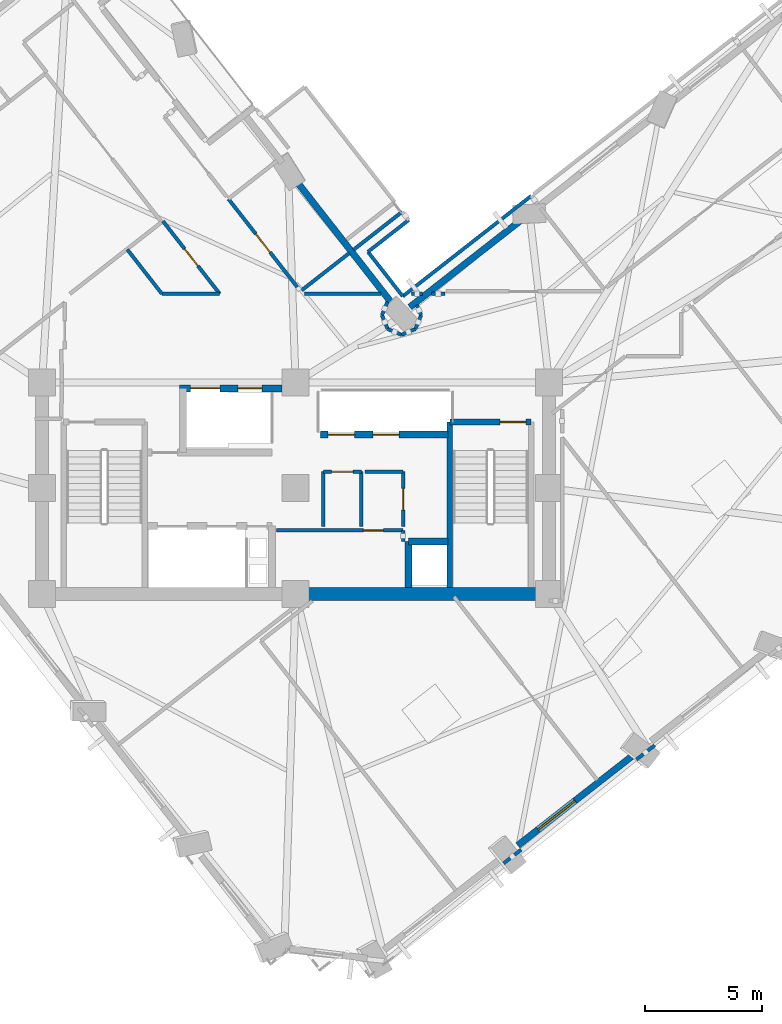
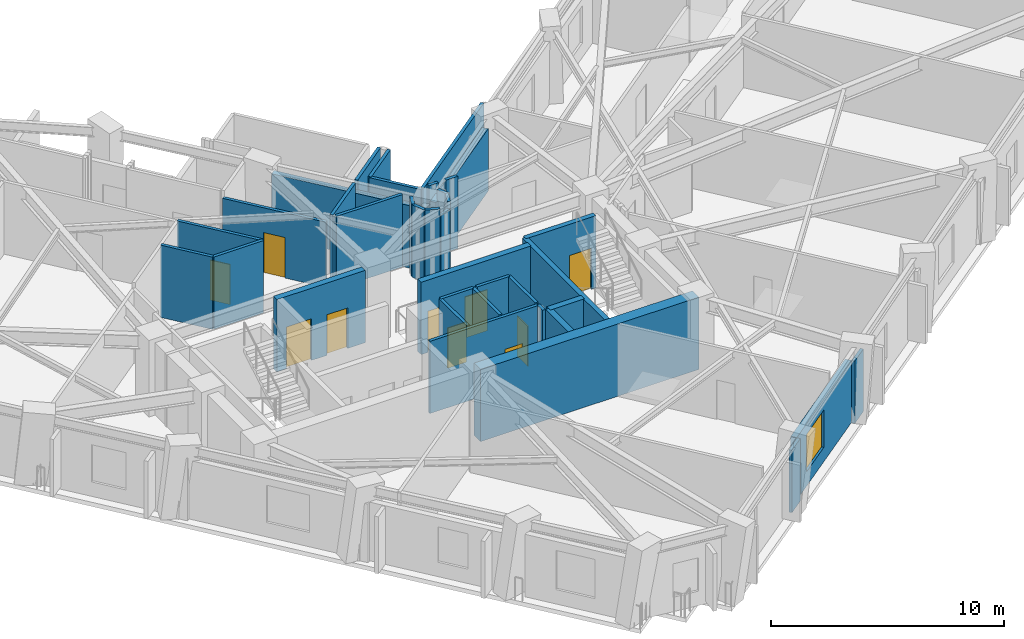
# One storey, part 6 of 14: 37 walls, 10 doors, 1 window, 11 openings.
"""IFC4 building model written with IfcOpenShell, lengths in metres."""

from ifc_helpers import new_model, si_unit, direction, frame, frame_2d, origin, place, context, subcontext, project, spatial, rectangle, extrude, material, layer, layer_set, type_object, element, fill, save


model = new_model("IFC4")

# Units and contexts
model_context = context("Model", 3, precision=1e-05, world=origin(), true_north=direction((0.0, 1.0)))
body_context = subcontext(model_context, "Body", "Model", "MODEL_VIEW")
ifc_project = project(units=[si_unit("LENGTHUNIT", "METRE"), si_unit("AREAUNIT", "SQUARE_METRE"), si_unit("VOLUMEUNIT", "CUBIC_METRE"), si_unit("PLANEANGLEUNIT", "RADIAN"), si_unit("MASSUNIT", "GRAM", prefix="KILO")], contexts=[model_context])

# Site, building, storey
site_placement = place(None, origin())
site = spatial("IfcSite", under=ifc_project, at=site_placement, CompositionType="ELEMENT")
building_placement = place(site_placement, origin())
building = spatial("IfcBuilding", under=site, at=building_placement, Name="Gaonmaruhae Medical Tower", CompositionType="ELEMENT")
storey_placement = place(building_placement, frame((0.0, 0.0, 185.800048828125)))
storey = spatial("IfcBuildingStorey", under=building, at=storey_placement, Name="L44", CompositionType="ELEMENT", Elevation=185.800048828125)

# Wall
ifc_material_1 = material(Name="Concrete C50/60", Category="concrete")
ifc_layer_1 = layer(ifc_material_1, 0.550048828125)
ifc_layer_set_1 = layer_set([ifc_layer_1], Name="Concrete C50/60")
wall_type_1 = type_object("IfcWallType", Name="CW-550 Mid-High Core Shear Wall", PredefinedType="SHEAR", material=ifc_layer_set_1)
wall_1_placement = place(storey_placement, frame((24.800048828125, 7.800048828125, 0.0), z_axis=(0.0, 0.0, 1.0), x_axis=(1.0, 0.0, 0.0)))
element("IfcWall", 1, at=wall_1_placement, inside=storey, type_object=wall_type_1, Name="L44 Core Shear Wall CSW-S2", PredefinedType="SHEAR", context=body_context, shape_type="SweptSolid", body=[
    extrude(rectangle(XDim=10.800048828125, YDim=0.550048828125, at=frame_2d((5.39990234375, 0.0))), origin(), (0.0, 0.0, 1.0), 3.780029296875),
])

# Wall, opening, window
ifc_material_2 = material(Name="Precast concrete C45/55", Category="concrete")
ifc_layer_2 = layer(ifc_material_2, 0.280029296875)
ifc_layer_set_2 = layer_set([ifc_layer_2], Name="Precast concrete C45/55")
wall_type_2 = type_object("IfcWallType", Name="EW-280 Upper Precast Masonry-Frame Facade Wall", PredefinedType="SOLIDWALL", material=ifc_layer_set_2)
wall_2_placement = place(storey_placement, frame((39.178466796875, 0.9228515625, 0.0), z_axis=(0.0, 0.0, 1.0), x_axis=(-0.788011311738, -0.61566076095, 0.0)))
wall_2 = element("IfcWall", 2, at=wall_2_placement, inside=storey, type_object=wall_type_2, Name="L44 Precast Masonry-Frame Wall S02-S03", PredefinedType="SOLIDWALL", context=body_context, shape_type="SweptSolid", body=[
    extrude(rectangle(XDim=6.234130859375, YDim=0.280029296875, at=frame_2d((3.1171875, 0.0))), origin(), (0.0, 0.0, 1.0), 3.264892578125),
])
opening_1_placement = place(wall_2_placement, frame((3.14501953125, 0.0, 0.75)))
opening_1 = element("IfcOpeningElement", 3, at=opening_1_placement, cuts=wall_2, Name="Opening WN-02", PredefinedType="OPENING", context=body_context, shape_type="SweptSolid", body=[
    extrude(rectangle(XDim=2.0, YDim=1.949951171875, at=frame_2d((1.0, 0.97509765625))), frame((0.0, 0.14990234375, 0.0), z_axis=(0.0, -1.0, 0.0), x_axis=(1.0, 0.0, 0.0)), (0.0, 0.0, 1.0), 0.300048828125),
])
ifc_material_3 = material(Name="Anodised aluminium and Low-E double glazing", Category="aluminium")
window_type = type_object("IfcWindowType", Name="WN-02 Double-Bed Ward Punched Window 2000x1950", PartitioningType="SINGLE_PANEL", PredefinedType="WINDOW", material=ifc_material_3)
window_placement = place(opening_1_placement, origin())
window = element("IfcWindow", 4, at=window_placement, inside=storey, type_object=window_type, Name="L44 Modular Facade Window S02", OverallHeight=1.949951171875, OverallWidth=2.0, PartitioningType="SINGLE_PANEL", PredefinedType="WINDOW", context=body_context, shape_type="SweptSolid", body=[
    extrude(rectangle(XDim=2.0, YDim=1.949951171875, at=frame_2d((1.0, 0.97509765625))), frame((0.0, 0.030029296875, 0.0), z_axis=(0.0, -1.0, 0.0), x_axis=(1.0, 0.0, 0.0)), (0.0, 0.0, 1.0), 0.06005859375),
])
fill(opening_1, window)

# Walls
wall_3_placement = place(storey_placement, frame((29.66748046875, 20.014404296875, 0.0), z_axis=(0.0, 0.0, 1.0), x_axis=(0.788002637329, 0.615671863547, 0.0)))
element("IfcWall", 5, at=wall_3_placement, inside=storey, type_object=wall_type_2, Name="L44 Precast Masonry-Frame Wall EN03-KN01", PredefinedType="SOLIDWALL", context=body_context, shape_type="SweptSolid", body=[
    extrude(rectangle(XDim=5.9599609375, YDim=0.280029296875, at=frame_2d((2.97998046875, 0.0))), origin(), (0.0, 0.0, 1.0), 3.264892578125),
])
wall_4_placement = place(storey_placement, frame((28.99755859375, 20.0517578125, 0.0), z_axis=(0.0, 0.0, 1.0), x_axis=(-0.615664366432, 0.788008494819, 0.0)))
element("IfcWall", 6, at=wall_4_placement, inside=storey, type_object=wall_type_2, Name="L44 Precast Masonry-Frame Wall KN01-NE01", PredefinedType="SOLIDWALL", context=body_context, shape_type="SweptSolid", body=[
    extrude(rectangle(XDim=6.760009765625, YDim=0.280029296875, at=frame_2d((3.3798828125, 0.0))), origin(), (0.0, 0.0, 1.0), 3.264892578125),
])

# Wall, opening, door
ifc_material_4 = material(Name="Gypsum board partition", Category="gypsum")
ifc_layer_3 = layer(ifc_material_4, 0.14990234375)
ifc_layer_set_3 = layer_set([ifc_layer_3], Name="Gypsum board partition")
wall_type_3 = type_object("IfcWallType", Name="PW-150 Rated Clinical Corridor Partition", PredefinedType="PARTITIONING", material=ifc_layer_set_3)
wall_5_placement = place(storey_placement, frame((23.97998046875, 10.5, 0.0), z_axis=(0.0, 0.0, 1.0), x_axis=(1.0, 0.0, 0.0)))
wall_5 = element("IfcWall", 7, at=wall_5_placement, inside=storey, type_object=wall_type_3, Name="L44 Interior Partition L44-RCL1-1", PredefinedType="PARTITIONING", context=body_context, shape_type="SweptSolid", body=[
    extrude(rectangle(XDim=5.39990234375, YDim=0.14990234375, at=frame_2d((2.699951171875, 0.0))), origin(), (0.0, 0.0, 1.0), 3.780029296875),
])
opening_2_placement = place(wall_5_placement, frame((3.702880859375, 0.0, 0.0)))
opening_2 = element("IfcOpeningElement", 8, at=opening_2_placement, cuts=wall_5, Name="Opening AD-01", PredefinedType="OPENING", context=body_context, shape_type="SweptSolid", body=[
    extrude(rectangle(XDim=0.860107421875, YDim=2.06005859375, at=frame_2d((0.43017578125, 1.030029296875))), frame((0.0, 0.0849609375, 0.0), z_axis=(0.0, -1.0, 0.0), x_axis=(1.0, 0.0, 0.0)), (0.0, 0.0, 1.0), 0.169921875),
])
ifc_material_5 = material(Name="Powder-coated steel access door", Category="steel")
door_type_1 = type_object("IfcDoorType", Name="AD-01 Riser & Closet Access Fire Door 860x2060", OperationType="NOTDEFINED", PredefinedType="DOOR", material=ifc_material_5)
door_1_placement = place(opening_2_placement, origin())
door_1 = element("IfcDoor", 9, at=door_1_placement, inside=storey, type_object=door_type_1, Name="L44 Biomedical Infusion Preparation Room Sliding Door", OperationType="SLIDING_TO_LEFT", OverallHeight=2.06005859375, OverallWidth=0.860107421875, PredefinedType="DOOR", context=body_context, shape_type="SweptSolid", body=[
    extrude(rectangle(XDim=0.860107421875, YDim=2.06005859375, at=frame_2d((0.43017578125, 1.030029296875))), frame((0.0, 0.02490234375, 0.0), z_axis=(0.0, -1.0, 0.0), x_axis=(1.0, 0.0, 0.0)), (0.0, 0.0, 1.0), 0.050048828125),
])
fill(opening_2, door_1)

# Walls
wall_6_placement = place(storey_placement, frame((29.3798828125, 10.5, 0.0), z_axis=(0.0, 0.0, 1.0), x_axis=(0.0, -1.0, 0.0)))
element("IfcWall", 10, at=wall_6_placement, inside=storey, type_object=wall_type_3, Name="L44 Interior Partition L44-RCL1-2", PredefinedType="PARTITIONING", context=body_context, shape_type="SweptSolid", body=[
    extrude(rectangle(XDim=0.47998046875, YDim=0.14990234375, at=frame_2d((0.239990234375, 0.0))), origin(), (0.0, 0.0, 1.0), 3.780029296875),
])
wall_7_placement = place(storey_placement, frame((25.97998046875, 10.659912109375, 0.0), z_axis=(0.0, 0.0, 1.0), x_axis=(0.0, 1.0, 0.0)))
element("IfcWall", 11, at=wall_7_placement, inside=storey, type_object=wall_type_3, Name="L44 Interior Partition L44-CS1-3", PredefinedType="PARTITIONING", context=body_context, shape_type="SweptSolid", body=[
    extrude(rectangle(XDim=2.340087890625, YDim=0.14990234375, at=frame_2d((1.169921875, 0.0))), origin(), (0.0, 0.0, 1.0), 3.780029296875),
])

# Wall, opening, door
wall_8_placement = place(storey_placement, frame((25.97998046875, 13.0, 0.0), z_axis=(0.0, 0.0, 1.0), x_axis=(1.0, 0.0, 0.0)))
wall_8 = element("IfcWall", 12, at=wall_8_placement, inside=storey, type_object=wall_type_3, Name="L44 Interior Partition L44-CS1-4", PredefinedType="PARTITIONING", context=body_context, shape_type="SweptSolid", body=[
    extrude(rectangle(XDim=1.6201171875, YDim=0.14990234375, at=frame_2d((0.81005859375, 0.0))), origin(), (0.0, 0.0, 1.0), 3.780029296875),
])
opening_3_placement = place(wall_8_placement, frame((0.35009765625, 0.0, 0.0)))
opening_3 = element("IfcOpeningElement", 13, at=opening_3_placement, cuts=wall_8, Name="Opening UD-01", PredefinedType="OPENING", context=body_context, shape_type="SweptSolid", body=[
    extrude(rectangle(XDim=0.919921875, YDim=2.10009765625, at=frame_2d((0.4599609375, 1.050048828125))), frame((0.0, 0.0849609375, 0.0), z_axis=(0.0, -1.0, 0.0), x_axis=(1.0, 0.0, 0.0)), (0.0, 0.0, 1.0), 0.169921875),
])
ifc_material_6 = material(Name="Powder-coated steel utility door", Category="steel")
door_type_2 = type_object("IfcDoorType", Name="UD-01 Toilet, Utility & Housekeeping Door 920x2100", OperationType="NOTDEFINED", PredefinedType="DOOR", material=ifc_material_6)
door_2_placement = place(opening_3_placement, origin())
door_2 = element("IfcDoor", 14, at=door_2_placement, inside=storey, type_object=door_type_2, Name="L44 Accessible Staff Toilet Door", OperationType="SINGLE_SWING_RIGHT", OverallHeight=2.10009765625, OverallWidth=0.919921875, PredefinedType="DOOR", context=body_context, shape_type="SweptSolid", body=[
    extrude(rectangle(XDim=0.919921875, YDim=2.10009765625, at=frame_2d((0.4599609375, 1.050048828125))), frame((0.0, 0.02490234375, 0.0), z_axis=(0.0, -1.0, 0.0), x_axis=(1.0, 0.0, 0.0)), (0.0, 0.0, 1.0), 0.050048828125),
])
fill(opening_3, door_2)

# Walls
wall_9_placement = place(storey_placement, frame((27.60009765625, 13.0, 0.0), z_axis=(0.0, 0.0, 1.0), x_axis=(0.0, -1.0, 0.0)))
element("IfcWall", 15, at=wall_9_placement, inside=storey, type_object=wall_type_3, Name="L44 Interior Partition L44-CS1-5", PredefinedType="PARTITIONING", context=body_context, shape_type="SweptSolid", body=[
    extrude(rectangle(XDim=2.340087890625, YDim=0.14990234375, at=frame_2d((1.169921875, 0.0))), origin(), (0.0, 0.0, 1.0), 3.780029296875),
])
wall_10_placement = place(storey_placement, frame((27.760009765625, 13.0, 0.0), z_axis=(0.0, 0.0, 1.0), x_axis=(1.0, 0.0, 0.0)))
element("IfcWall", 16, at=wall_10_placement, inside=storey, type_object=wall_type_3, Name="L44 Interior Partition L44-CS2-6", PredefinedType="PARTITIONING", context=body_context, shape_type="SweptSolid", body=[
    extrude(rectangle(XDim=1.619873046875, YDim=0.14990234375, at=frame_2d((0.81005859375, 0.0))), origin(), (0.0, 0.0, 1.0), 3.780029296875),
])

# Wall, opening, door
wall_11_placement = place(storey_placement, frame((29.3798828125, 13.0, 0.0), z_axis=(0.0, 0.0, 1.0), x_axis=(0.0, -1.0, 0.0)))
wall_11 = element("IfcWall", 17, at=wall_11_placement, inside=storey, type_object=wall_type_3, Name="L44 Interior Partition L44-CS2-7", PredefinedType="PARTITIONING", context=body_context, shape_type="SweptSolid", body=[
    extrude(rectangle(XDim=2.340087890625, YDim=0.14990234375, at=frame_2d((1.169921875, 0.0))), origin(), (0.0, 0.0, 1.0), 3.780029296875),
])
opening_4_placement = place(wall_11_placement, frame((0.7099609375, 0.0, 0.0)))
opening_4 = element("IfcOpeningElement", 18, at=opening_4_placement, cuts=wall_11, Name="Opening UD-01", PredefinedType="OPENING", context=body_context, shape_type="SweptSolid", body=[
    extrude(rectangle(XDim=0.919921875, YDim=2.10009765625, at=frame_2d((0.4599609375, 1.050048828125))), frame((0.0, 0.0849609375, 0.0), z_axis=(0.0, -1.0, 0.0), x_axis=(1.0, 0.0, 0.0)), (0.0, 0.0, 1.0), 0.169921875),
])
door_3_placement = place(opening_4_placement, origin())
door_3 = element("IfcDoor", 19, at=door_3_placement, inside=storey, type_object=door_type_2, Name="L44 Biomedical Telemetry Closet Door", OperationType="SINGLE_SWING_LEFT", OverallHeight=2.10009765625, OverallWidth=0.919921875, PredefinedType="DOOR", context=body_context, shape_type="SweptSolid", body=[
    extrude(rectangle(XDim=0.919921875, YDim=2.10009765625, at=frame_2d((0.4599609375, 1.050048828125))), frame((0.0, 0.02490234375, 0.0), z_axis=(0.0, -1.0, 0.0), x_axis=(1.0, 0.0, 0.0)), (0.0, 0.0, 1.0), 0.050048828125),
])
fill(opening_4, door_3)

# Walls
wall_12_placement = place(storey_placement, frame((34.407958984375, -3.096923828125, 0.0), z_axis=(0.0, 0.0, 1.0), x_axis=(-0.787899929326, -0.615803297627, 0.0)))
element("IfcWall", 20, at=wall_12_placement, inside=storey, type_object=wall_type_3, Name="L44 Interior Partition L44-SUP02-8", PredefinedType="PARTITIONING", context=body_context, shape_type="SweptSolid", body=[
    extrude(rectangle(XDim=0.951904296875, YDim=0.14990234375, at=frame_2d((0.47607421875, 0.0))), origin(), (0.0, 0.0, 1.0), 3.264892578125),
])
wall_13_placement = place(storey_placement, frame((40.091064453125, 1.343994140625, 0.0), z_axis=(0.0, 0.0, 1.0), x_axis=(-0.788168135947, -0.615459982028, 0.0)))
element("IfcWall", 21, at=wall_13_placement, inside=storey, type_object=wall_type_3, Name="L44 Interior Partition L44-SUP03-13", PredefinedType="PARTITIONING", context=body_context, shape_type="SweptSolid", body=[
    extrude(rectangle(XDim=0.978271484375, YDim=0.14990234375, at=frame_2d((0.4892578125, 0.0))), origin(), (0.0, 0.0, 1.0), 3.264892578125),
])
wall_14_placement = place(storey_placement, frame((27.886962890625, 22.366943359375, 0.0), z_axis=(0.0, 0.0, 1.0), x_axis=(0.615594676938, -0.788062937667, 0.0)))
element("IfcWall", 22, at=wall_14_placement, inside=storey, type_object=wall_type_3, Name="L44 Interior Partition L44-IE01-45", PredefinedType="PARTITIONING", context=body_context, shape_type="SweptSolid", body=[
    extrude(rectangle(XDim=2.3994140625, YDim=0.14990234375, at=frame_2d((1.19970703125, 0.0))), origin(), (0.0, 0.0, 1.0), 3.780029296875),
])
wall_15_placement = place(storey_placement, frame((29.364013671875, 20.47607421875, 0.0), z_axis=(0.0, 0.0, 1.0), x_axis=(0.788027038921, 0.615640630505, 0.0)))
element("IfcWall", 23, at=wall_15_placement, inside=storey, type_object=wall_type_3, Name="L44 Interior Partition L44-IE01-46", PredefinedType="PARTITIONING", context=body_context, shape_type="SweptSolid", body=[
    extrude(rectangle(XDim=6.94384765625, YDim=0.14990234375, at=frame_2d((3.471923828125, 0.0))), origin(), (0.0, 0.0, 1.0), 3.780029296875),
])
wall_16_placement = place(storey_placement, frame((31.169921875, 20.580078125, 0.0), z_axis=(0.0, 0.0, 1.0), x_axis=(-1.0, 0.0, 0.0)))
element("IfcWall", 24, at=wall_16_placement, inside=storey, type_object=wall_type_3, Name="L44 Interior Partition L44-IE01-50", PredefinedType="PARTITIONING", context=body_context, shape_type="SweptSolid", body=[
    extrude(rectangle(XDim=0.592041015625, YDim=0.14990234375, at=frame_2d((0.2958984375, 0.0))), origin(), (0.0, 0.0, 1.0), 3.780029296875),
])
wall_17_placement = place(storey_placement, frame((30.2041015625, 20.5791015625, 0.0), z_axis=(0.0, 0.0, 1.0), x_axis=(-1.0, 0.0, 0.0)))
element("IfcWall", 25, at=wall_17_placement, inside=storey, type_object=wall_type_3, Name="L44 Interior Partition L44-IE01-51", PredefinedType="PARTITIONING", context=body_context, shape_type="SweptSolid", body=[
    extrude(rectangle(XDim=0.462158203125, YDim=0.14990234375, at=frame_2d((0.23095703125, 0.0))), origin(), (0.0, 0.0, 1.0), 3.780029296875),
])
wall_18_placement = place(storey_placement, frame((29.966064453125, 20.10205078125, 0.0), z_axis=(0.0, 0.0, 1.0), x_axis=(0.382917701472, -0.923782460268, 0.0)))
element("IfcWall", 26, at=wall_18_placement, inside=storey, type_object=wall_type_3, Name="L44 Interior Partition L44-IE01-52", PredefinedType="PARTITIONING", context=body_context, shape_type="SweptSolid", body=[
    extrude(rectangle(XDim=0.469970703125, YDim=0.14990234375, at=frame_2d((0.23486328125, 0.0))), origin(), (0.0, 0.0, 1.0), 3.780029296875),
])
wall_19_placement = place(storey_placement, frame((30.14599609375, 19.66796875, 0.0), z_axis=(0.0, 0.0, 1.0), x_axis=(-0.382656259044, -0.923890787601, 0.0)))
element("IfcWall", 27, at=wall_19_placement, inside=storey, type_object=wall_type_3, Name="L44 Interior Partition L44-IE01-53", PredefinedType="PARTITIONING", context=body_context, shape_type="SweptSolid", body=[
    extrude(rectangle(XDim=0.637451171875, YDim=0.14990234375, at=frame_2d((0.31884765625, 0.0))), origin(), (0.0, 0.0, 1.0), 3.780029296875),
])
wall_20_placement = place(storey_placement, frame((29.902099609375, 19.0791015625, 0.0), z_axis=(0.0, 0.0, 1.0), x_axis=(-0.923494633817, -0.383611341478, 0.0)))
element("IfcWall", 28, at=wall_20_placement, inside=storey, type_object=wall_type_3, Name="L44 Interior Partition L44-IE01-54", PredefinedType="PARTITIONING", context=body_context, shape_type="SweptSolid", body=[
    extrude(rectangle(XDim=0.638916015625, YDim=0.14990234375, at=frame_2d((0.3193359375, 0.0))), origin(), (0.0, 0.0, 1.0), 3.4150390625),
])
wall_21_placement = place(storey_placement, frame((29.31201171875, 18.833984375, 0.0), z_axis=(0.0, 0.0, 1.0), x_axis=(-0.92326925104, 0.384153472045, 0.0)))
element("IfcWall", 29, at=wall_21_placement, inside=storey, type_object=wall_type_3, Name="L44 Interior Partition L44-IE01-55", PredefinedType="PARTITIONING", context=body_context, shape_type="SweptSolid", body=[
    extrude(rectangle(XDim=0.63818359375, YDim=0.14990234375, at=frame_2d((0.319091796875, 0.0))), origin(), (0.0, 0.0, 1.0), 3.780029296875),
])
wall_22_placement = place(storey_placement, frame((28.722900390625, 19.0791015625, 0.0), z_axis=(0.0, 0.0, 1.0), x_axis=(-0.383962918333, 0.92334851348, 0.0)))
element("IfcWall", 30, at=wall_22_placement, inside=storey, type_object=wall_type_3, Name="L44 Interior Partition L44-IE01-56", PredefinedType="PARTITIONING", context=body_context, shape_type="SweptSolid", body=[
    extrude(rectangle(XDim=0.6376953125, YDim=0.14990234375, at=frame_2d((0.31884765625, 0.0))), origin(), (0.0, 0.0, 1.0), 3.780029296875),
])
wall_23_placement = place(storey_placement, frame((28.47802734375, 19.66796875, 0.0), z_axis=(0.0, 0.0, 1.0), x_axis=(0.383648363286, 0.923479254422, 0.0)))
element("IfcWall", 31, at=wall_23_placement, inside=storey, type_object=wall_type_3, Name="L44 Interior Partition L44-IE01-57", PredefinedType="PARTITIONING", context=body_context, shape_type="SweptSolid", body=[
    extrude(rectangle(XDim=0.609619140625, YDim=0.14990234375, at=frame_2d((0.3046875, 0.0))), origin(), (0.0, 0.0, 1.0), 3.780029296875),
])
wall_24_placement = place(storey_placement, frame((28.43994140625, 20.577880859375, 0.0), z_axis=(0.0, 0.0, 1.0), x_axis=(-0.999999774112, 0.000672143239, 0.0)))
element("IfcWall", 32, at=wall_24_placement, inside=storey, type_object=wall_type_3, Name="L44 Interior Partition L44-IE01-58", PredefinedType="PARTITIONING", context=body_context, shape_type="SweptSolid", body=[
    extrude(rectangle(XDim=3.26904296875, YDim=0.14990234375, at=frame_2d((1.634521484375, 0.0))), origin(), (0.0, 0.0, 1.0), 3.780029296875),
])
wall_25_placement = place(storey_placement, frame((25.056884765625, 20.72705078125, 0.0), z_axis=(0.0, 0.0, 1.0), x_axis=(0.788068936461, 0.615586997414, 0.0)))
element("IfcWall", 33, at=wall_25_placement, inside=storey, type_object=wall_type_3, Name="L44 Interior Partition L44-IE01-59", PredefinedType="PARTITIONING", context=body_context, shape_type="SweptSolid", body=[
    extrude(rectangle(XDim=2.57470703125, YDim=0.14990234375, at=frame_2d((1.287353515625, 0.0))), origin(), (0.0, 0.0, 1.0), 3.780029296875),
])
wall_26_placement = place(storey_placement, frame((27.26708984375, 22.4541015625, 0.0), z_axis=(0.0, 0.0, 1.0), x_axis=(0.788022968691, 0.615645840411, 0.0)))
element("IfcWall", 34, at=wall_26_placement, inside=storey, type_object=wall_type_3, Name="L44 Interior Partition L44-IE01-60", PredefinedType="PARTITIONING", context=body_context, shape_type="SweptSolid", body=[
    extrude(rectangle(XDim=2.63427734375, YDim=0.14990234375, at=frame_2d((1.317138671875, 0.0))), origin(), (0.0, 0.0, 1.0), 3.780029296875),
])
wall_27_placement = place(storey_placement, frame((29.62109375, 23.720947265625, 0.0), z_axis=(0.0, 0.0, 1.0), x_axis=(-0.788197623087, -0.615422218449, 0.0)))
element("IfcWall", 35, at=wall_27_placement, inside=storey, type_object=wall_type_3, Name="L44 Interior Partition L44-IE01-62", PredefinedType="PARTITIONING", context=body_context, shape_type="SweptSolid", body=[
    extrude(rectangle(XDim=2.2001953125, YDim=0.14990234375, at=frame_2d((1.10009765625, 0.0))), origin(), (0.0, 0.0, 1.0), 3.780029296875),
])

# Wall, opening, door
wall_28_placement = place(storey_placement, frame((24.8798828125, 20.85498046875, 0.0), z_axis=(0.0, 0.0, 1.0), x_axis=(-0.61562223779, 0.788041407756, 0.0)))
wall_28 = element("IfcWall", 36, at=wall_28_placement, inside=storey, type_object=wall_type_3, Name="L44 Interior Partition L44-IN01-76", PredefinedType="PARTITIONING", context=body_context, shape_type="SweptSolid", body=[
    extrude(rectangle(XDim=4.7802734375, YDim=0.14990234375, at=frame_2d((2.39013671875, 0.0))), origin(), (0.0, 0.0, 1.0), 3.4150390625),
])
opening_5_placement = place(wall_28_placement, frame((1.89013671875, 0.0, 0.0)))
opening_5 = element("IfcOpeningElement", 37, at=opening_5_placement, cuts=wall_28, Name="Opening CD-01", PredefinedType="OPENING", context=body_context, shape_type="SweptSolid", body=[
    extrude(rectangle(XDim=1.0, YDim=2.1201171875, at=frame_2d((0.5, 1.06005859375))), frame((0.0, 0.0849609375, 0.0), z_axis=(0.0, -1.0, 0.0), x_axis=(1.0, 0.0, 0.0)), (0.0, 0.0, 1.0), 0.169921875),
])
ifc_material_7 = material(Name="Antimicrobial laminate timber fire door", Category="wood")
door_type_3 = type_object("IfcDoorType", Name="CD-01 Consultation & Physician Office Door 1000x2120", OperationType="NOTDEFINED", PredefinedType="DOOR", material=ifc_material_7)
door_4_placement = place(opening_5_placement, origin())
door_4 = element("IfcDoor", 38, at=door_4_placement, inside=storey, type_object=door_type_3, Name="L44 Physician Consultation Office Door", OperationType="SINGLE_SWING_LEFT", OverallHeight=2.1201171875, OverallWidth=1.0, PredefinedType="DOOR", context=body_context, shape_type="SweptSolid", body=[
    extrude(rectangle(XDim=1.0, YDim=2.1201171875, at=frame_2d((0.5, 1.06005859375))), frame((0.0, 0.02490234375, 0.0), z_axis=(0.0, -1.0, 0.0), x_axis=(1.0, 0.0, 0.0)), (0.0, 0.0, 1.0), 0.050048828125),
])
fill(opening_5, door_4)

wall_29_placement = place(storey_placement, frame((19.14892578125, 23.675048828125, 0.0), z_axis=(0.0, 0.0, 1.0), x_axis=(0.615647660829, -0.788021546479, 0.0)))
wall_29 = element("IfcWall", 39, at=wall_29_placement, inside=storey, type_object=wall_type_3, Name="L44 Interior Partition L44-RM03-92", PredefinedType="PARTITIONING", context=body_context, shape_type="SweptSolid", body=[
    extrude(rectangle(XDim=3.927490234375, YDim=0.14990234375, at=frame_2d((1.9638671875, 0.0))), origin(), (0.0, 0.0, 1.0), 3.780029296875),
])
opening_6_placement = place(wall_29_placement, frame((1.50390625, 0.0, 0.0)))
opening_6 = element("IfcOpeningElement", 40, at=opening_6_placement, cuts=wall_29, Name="Opening UD-01", PredefinedType="OPENING", context=body_context, shape_type="SweptSolid", body=[
    extrude(rectangle(XDim=0.919921875, YDim=2.10009765625, at=frame_2d((0.4599609375, 1.050048828125))), frame((0.0, 0.0849609375, 0.0), z_axis=(0.0, -1.0, 0.0), x_axis=(1.0, 0.0, 0.0)), (0.0, 0.0, 1.0), 0.169921875),
])
door_5_placement = place(opening_6_placement, origin())
door_5 = element("IfcDoor", 41, at=door_5_placement, inside=storey, type_object=door_type_2, Name="L44 Biomedical Mobile Equipment Bay Door", OperationType="SINGLE_SWING_RIGHT", OverallHeight=2.10009765625, OverallWidth=0.919921875, PredefinedType="DOOR", context=body_context, shape_type="SweptSolid", body=[
    extrude(rectangle(XDim=0.919921875, YDim=2.10009765625, at=frame_2d((0.4599609375, 1.050048828125))), frame((0.0, 0.02490234375, 0.0), z_axis=(0.0, -1.0, 0.0), x_axis=(1.0, 0.0, 0.0)), (0.0, 0.0, 1.0), 0.050048828125),
])
fill(opening_6, door_5)

# Walls
wall_30_placement = place(storey_placement, frame((21.56689453125, 20.580078125, 0.0), z_axis=(0.0, 0.0, 1.0), x_axis=(-1.0, 0.0, 0.0)))
element("IfcWall", 42, at=wall_30_placement, inside=storey, type_object=wall_type_3, Name="L44 Interior Partition L44-RM03-93", PredefinedType="PARTITIONING", context=body_context, shape_type="SweptSolid", body=[
    extrude(rectangle(XDim=2.4619140625, YDim=0.14990234375, at=frame_2d((1.23095703125, 0.0))), origin(), (0.0, 0.0, 1.0), 3.780029296875),
])
wall_31_placement = place(storey_placement, frame((19.10498046875, 20.580078125, 0.0), z_axis=(0.0, 0.0, 1.0), x_axis=(-0.615451869475, 0.788174470761, 0.0)))
element("IfcWall", 43, at=wall_31_placement, inside=storey, type_object=wall_type_3, Name="L44 Interior Partition L44-RM03-94", PredefinedType="PARTITIONING", context=body_context, shape_type="SweptSolid", body=[
    extrude(rectangle(XDim=2.3916015625, YDim=0.14990234375, at=frame_2d((1.19580078125, 0.0))), origin(), (0.0, 0.0, 1.0), 3.780029296875),
])

# Wall, opening, door
ifc_layer_4 = layer(ifc_material_1, 0.239990234375)
ifc_layer_set_4 = layer_set([ifc_layer_4], Name="Concrete C50/60")
wall_type_4 = type_object("IfcWallType", Name="SW-240 Dogleg Stair Tight Shaft Wall", PredefinedType="SOLIDWALL", material=ifc_layer_set_4)
wall_32_placement = place(storey_placement, frame((31.3701171875, 15.1201171875, 0.0), z_axis=(0.0, 0.0, 1.0), x_axis=(1.0, 0.0, 0.0)))
wall_32 = element("IfcWall", 44, at=wall_32_placement, inside=storey, type_object=wall_type_4, Name="L44 ST-02 Stair Shaft Wall SHW-ST-02-N", PredefinedType="SOLIDWALL", context=body_context, shape_type="SweptSolid", body=[
    extrude(rectangle(XDim=3.4599609375, YDim=0.239990234375, at=frame_2d((1.72998046875, 0.0))), origin(), (0.0, 0.0, 1.0), 3.780029296875),
])
opening_7_placement = place(wall_32_placement, frame((2.139892578125, 0.0, 0.0)))
opening_7 = element("IfcOpeningElement", 45, at=opening_7_placement, cuts=wall_32, Name="Opening FD-01", PredefinedType="OPENING", context=body_context, shape_type="SweptSolid", body=[
    extrude(rectangle(XDim=1.10009765625, YDim=2.14990234375, at=frame_2d((0.550048828125, 1.074951171875))), frame((0.0, 0.1298828125, 0.0), z_axis=(0.0, -1.0, 0.0), x_axis=(1.0, 0.0, 0.0)), (0.0, 0.0, 1.0), 0.260009765625),
])
ifc_material_8 = material(Name="Powder-coated steel fire door", Category="steel")
door_type_4 = type_object("IfcDoorType", Name="FD-01 Escape Stair Protected Fire Door 1100x2150", OperationType="NOTDEFINED", PredefinedType="DOOR", material=ifc_material_8)
door_6_placement = place(opening_7_placement, origin())
door_6 = element("IfcDoor", 46, at=door_6_placement, inside=storey, type_object=door_type_4, Name="L44 ST-02 Protected Escape Stair Door", OperationType="SINGLE_SWING_RIGHT", OverallHeight=2.14990234375, OverallWidth=1.10009765625, PredefinedType="DOOR", context=body_context, shape_type="SweptSolid", body=[
    extrude(rectangle(XDim=1.10009765625, YDim=2.14990234375, at=frame_2d((0.550048828125, 1.074951171875))), frame((0.0, 0.02490234375, 0.0), z_axis=(0.0, -1.0, 0.0), x_axis=(1.0, 0.0, 0.0)), (0.0, 0.0, 1.0), 0.050048828125),
])
fill(opening_7, door_6)

# Wall
wall_33_placement = place(storey_placement, frame((31.3701171875, 8.074951171875, 0.0), z_axis=(0.0, 0.0, 1.0), x_axis=(0.0, 1.0, 0.0)))
element("IfcWall", 47, at=wall_33_placement, inside=storey, type_object=wall_type_4, Name="L44 ST-02 Stair Shaft Wall SHW-ST-02-W", PredefinedType="SOLIDWALL", context=body_context, shape_type="SweptSolid", body=[
    extrude(rectangle(XDim=7.045166015625, YDim=0.239990234375, at=frame_2d((3.5224609375, 0.0))), origin(), (0.0, 0.0, 1.0), 3.780029296875),
])

# Wall, openings, doors
ifc_layer_5 = layer(ifc_material_1, 0.300048828125)
ifc_layer_set_5 = layer_set([ifc_layer_5], Name="Concrete C50/60")
wall_type_5 = type_object("IfcWallType", Name="SW-300 Stair & Lift Hoistway Shaft Wall", PredefinedType="SOLIDWALL", material=ifc_layer_set_5)
wall_34_placement = place(storey_placement, frame((19.85009765625, 16.550048828125, 0.0), z_axis=(0.0, 0.0, 1.0), x_axis=(1.0, 0.0, 0.0)))
wall_34 = element("IfcWall", 48, at=wall_34_placement, inside=storey, type_object=wall_type_5, Name="L44 Core Shear Wall CSW-NB", PredefinedType="SOLIDWALL", context=body_context, shape_type="SweptSolid", body=[
    extrude(rectangle(XDim=4.375, YDim=0.300048828125, at=frame_2d((2.1875, 0.0))), origin(), (0.0, 0.0, 1.0), 3.780029296875),
])
opening_8_placement = place(wall_34_placement, frame((0.47509765625, 0.0, 0.0)))
opening_8 = element("IfcOpeningElement", 49, at=opening_8_placement, cuts=wall_34, Name="Opening LD-F1", PredefinedType="OPENING", context=body_context, shape_type="SweptSolid", body=[
    extrude(rectangle(XDim=1.25, YDim=2.179931640625, at=frame_2d((0.625, 1.08984375))), frame((0.0, 0.16015625, 0.0), z_axis=(0.0, -1.0, 0.0), x_axis=(1.0, 0.0, 0.0)), (0.0, 0.0, 1.0), 0.320068359375),
])
opening_9_placement = place(wall_34_placement, frame((2.489990234375, 0.0, 0.0)))
opening_9 = element("IfcOpeningElement", 50, at=opening_9_placement, cuts=wall_34, Name="Opening LD-S1", PredefinedType="OPENING", context=body_context, shape_type="SweptSolid", body=[
    extrude(rectangle(XDim=1.02001953125, YDim=2.1201171875, at=frame_2d((0.510009765625, 1.06005859375))), frame((0.0, 0.16015625, 0.0), z_axis=(0.0, -1.0, 0.0), x_axis=(1.0, 0.0, 0.0)), (0.0, 0.0, 1.0), 0.320068359375),
])
ifc_material_9 = material(Name="Brushed stainless steel 316L landing door", Category="steel")
door_type_5 = type_object("IfcDoorType", Name="LD-F1 Firefighting & Bed Lift Sliding Landing Door 1250x2180", OperationType="NOTDEFINED", PredefinedType="DOOR", material=ifc_material_9)
door_7_placement = place(opening_8_placement, origin())
door_7 = element("IfcDoor", 51, at=door_7_placement, inside=storey, type_object=door_type_5, Name="L44 Service/Bed Lift Landing Door BDL-01", OperationType="DOUBLE_DOOR_SLIDING", OverallHeight=2.179931640625, OverallWidth=1.25, PredefinedType="DOOR", context=body_context, shape_type="SweptSolid", body=[
    extrude(rectangle(XDim=1.25, YDim=2.179931640625, at=frame_2d((0.625, 1.08984375))), frame((0.0, 0.02490234375, 0.0), z_axis=(0.0, -1.0, 0.0), x_axis=(1.0, 0.0, 0.0)), (0.0, 0.0, 1.0), 0.050048828125),
])
fill(opening_8, door_7)
ifc_material_10 = material(Name="Brushed stainless steel 304 landing door", Category="steel")
door_type_6 = type_object("IfcDoorType", Name="LD-S1 Service Lift Sliding Landing Door 1020x2120", OperationType="NOTDEFINED", PredefinedType="DOOR", material=ifc_material_10)
door_8_placement = place(opening_9_placement, origin())
door_8 = element("IfcDoor", 52, at=door_8_placement, inside=storey, type_object=door_type_6, Name="L44 Service/Bed Lift Landing Door SVL-01", OperationType="SLIDING_TO_LEFT", OverallHeight=2.1201171875, OverallWidth=1.02001953125, PredefinedType="DOOR", context=body_context, shape_type="SweptSolid", body=[
    extrude(rectangle(XDim=1.02001953125, YDim=2.1201171875, at=frame_2d((0.510009765625, 1.06005859375))), frame((0.0, 0.02490234375, 0.0), z_axis=(0.0, -1.0, 0.0), x_axis=(1.0, 0.0, 0.0)), (0.0, 0.0, 1.0), 0.050048828125),
])
fill(opening_9, door_8)

# Walls
wall_35_placement = place(storey_placement, frame((29.60009765625, 10.02001953125, 0.0), z_axis=(0.0, 0.0, 1.0), x_axis=(1.0, 0.0, 0.0)))
element("IfcWall", 53, at=wall_35_placement, inside=storey, type_object=wall_type_5, Name="L44 Shaft Enclosure Wall SHW-PLS", PredefinedType="SOLIDWALL", context=body_context, shape_type="SweptSolid", body=[
    extrude(rectangle(XDim=1.699951171875, YDim=0.300048828125, at=frame_2d((0.85009765625, 0.0))), origin(), (0.0, 0.0, 1.0), 3.780029296875),
])
wall_36_placement = place(storey_placement, frame((29.60009765625, 8.074951171875, 0.0), z_axis=(0.0, 0.0, 1.0), x_axis=(0.0, 1.0, 0.0)))
element("IfcWall", 54, at=wall_36_placement, inside=storey, type_object=wall_type_5, Name="L44 Shaft Enclosure Wall SHW-PLD1", PredefinedType="SOLIDWALL", context=body_context, shape_type="SweptSolid", body=[
    extrude(rectangle(XDim=1.945068359375, YDim=0.300048828125, at=frame_2d((0.97265625, 0.0))), origin(), (0.0, 0.0, 1.0), 3.780029296875),
])

# Wall, openings, doors
wall_37_placement = place(storey_placement, frame((25.85009765625, 14.580078125, 0.0), z_axis=(0.0, 0.0, 1.0), x_axis=(1.0, 0.0, 0.0)))
wall_37 = element("IfcWall", 55, at=wall_37_placement, inside=storey, type_object=wall_type_5, Name="L44 Shaft Enclosure Wall SHW-PLN", PredefinedType="SOLIDWALL", context=body_context, shape_type="SweptSolid", body=[
    extrude(rectangle(XDim=5.449951171875, YDim=0.300048828125, at=frame_2d((2.72509765625, 0.0))), origin(), (0.0, 0.0, 1.0), 3.780029296875),
])
opening_10_placement = place(wall_37_placement, frame((0.340087890625, 0.0, 0.0)))
opening_10 = element("IfcOpeningElement", 56, at=opening_10_placement, cuts=wall_37, Name="Opening LD-P1", PredefinedType="OPENING", context=body_context, shape_type="SweptSolid", body=[
    extrude(rectangle(XDim=1.1201171875, YDim=2.14990234375, at=frame_2d((0.56005859375, 1.074951171875))), frame((0.0, 0.16015625, 0.0), z_axis=(0.0, -1.0, 0.0), x_axis=(1.0, 0.0, 0.0)), (0.0, 0.0, 1.0), 0.320068359375),
])
opening_11_placement = place(wall_37_placement, frame((2.239990234375, 0.0, 0.0)))
opening_11 = element("IfcOpeningElement", 57, at=opening_11_placement, cuts=wall_37, Name="Opening LD-P1", PredefinedType="OPENING", context=body_context, shape_type="SweptSolid", body=[
    extrude(rectangle(XDim=1.1201171875, YDim=2.14990234375, at=frame_2d((0.56005859375, 1.074951171875))), frame((0.0, 0.16015625, 0.0), z_axis=(0.0, -1.0, 0.0), x_axis=(1.0, 0.0, 0.0)), (0.0, 0.0, 1.0), 0.320068359375),
])
door_type_7 = type_object("IfcDoorType", Name="LD-P1 Passenger Lift Sliding Landing Door 1120x2150", OperationType="NOTDEFINED", PredefinedType="DOOR", material=ifc_material_10)
door_9_placement = place(opening_10_placement, origin())
door_9 = element("IfcDoor", 58, at=door_9_placement, inside=storey, type_object=door_type_7, Name="L44 Passenger Lift Landing Door PL-M1", OperationType="DOUBLE_DOOR_SLIDING", OverallHeight=2.14990234375, OverallWidth=1.1201171875, PredefinedType="DOOR", context=body_context, shape_type="SweptSolid", body=[
    extrude(rectangle(XDim=1.1201171875, YDim=2.14990234375, at=frame_2d((0.56005859375, 1.074951171875))), frame((0.0, 0.02490234375, 0.0), z_axis=(0.0, -1.0, 0.0), x_axis=(1.0, 0.0, 0.0)), (0.0, 0.0, 1.0), 0.050048828125),
])
fill(opening_10, door_9)
door_10_placement = place(opening_11_placement, origin())
door_10 = element("IfcDoor", 59, at=door_10_placement, inside=storey, type_object=door_type_7, Name="L44 Passenger Lift Landing Door PL-M2", OperationType="DOUBLE_DOOR_SLIDING", OverallHeight=2.14990234375, OverallWidth=1.1201171875, PredefinedType="DOOR", context=body_context, shape_type="SweptSolid", body=[
    extrude(rectangle(XDim=1.1201171875, YDim=2.14990234375, at=frame_2d((0.56005859375, 1.074951171875))), frame((0.0, 0.02490234375, 0.0), z_axis=(0.0, -1.0, 0.0), x_axis=(1.0, 0.0, 0.0)), (0.0, 0.0, 1.0), 0.050048828125),
])
fill(opening_11, door_10)

save(model, "model.ifc")
